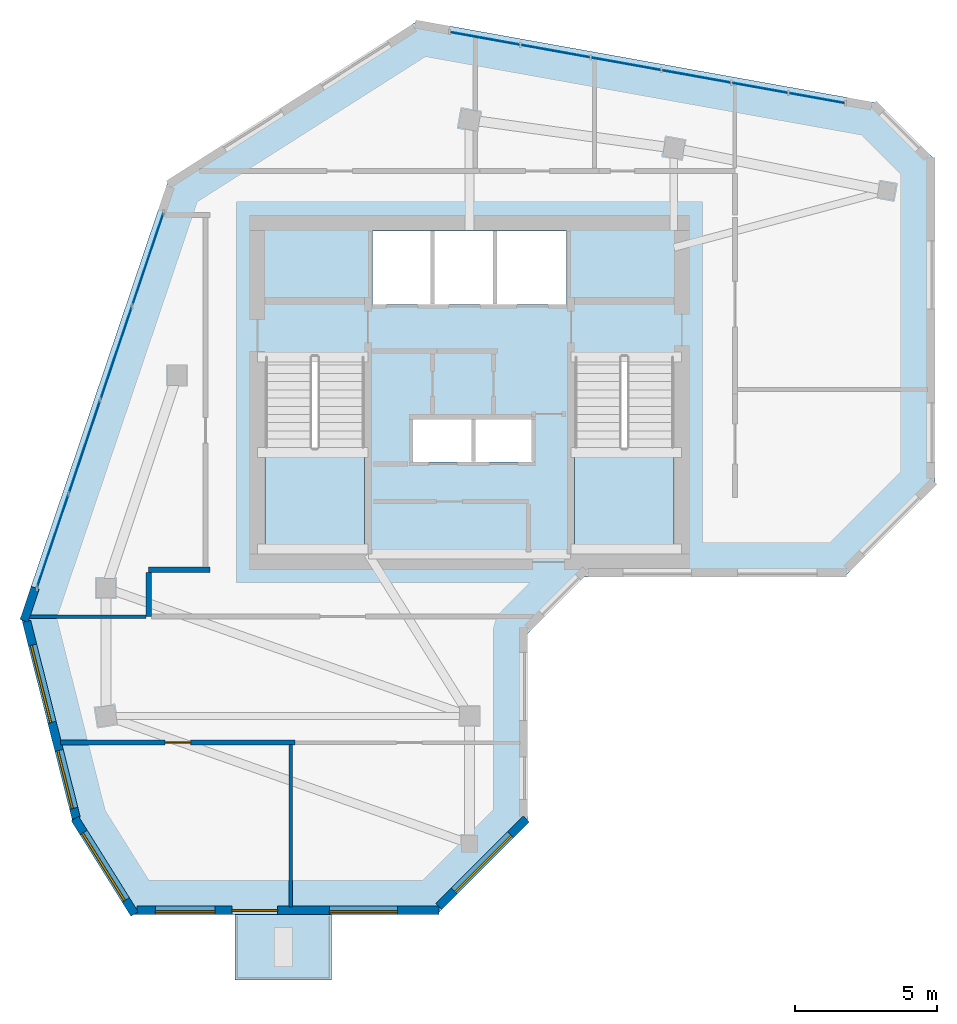
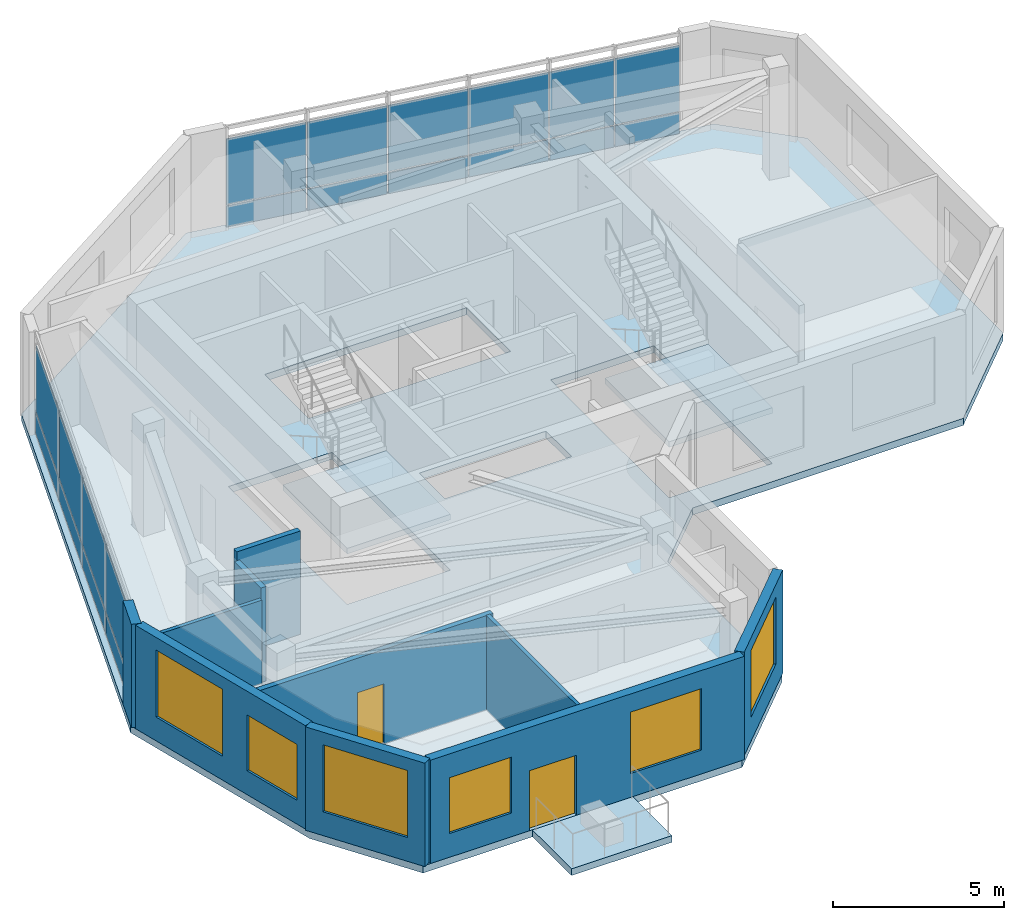
# One storey, part 2 of 8: 20 plates, 10 walls, 6 windows, 4 slabs, 2 doors, 8 openings, 4 elements without a shape of their own.
"""IFC4 building model written with IfcOpenShell, lengths in metres."""

from ifc_helpers import new_model, si_unit, direction, frame, frame_2d, origin, place, context, subcontext, project, spatial, polyline, rectangle, outline, extrude, source, transform, mapped, material, layer, layer_set, type_object, element, fill, aggregate, save


model = new_model("IFC4")

# Units and contexts
model_context = context("Model", 3, precision=1e-05, world=origin(), true_north=direction((0.0, 1.0)))
body_context = subcontext(model_context, "Body", "Model", "MODEL_VIEW")
ifc_project = project(units=[si_unit("LENGTHUNIT", "METRE"), si_unit("AREAUNIT", "SQUARE_METRE"), si_unit("VOLUMEUNIT", "CUBIC_METRE"), si_unit("PLANEANGLEUNIT", "RADIAN"), si_unit("MASSUNIT", "GRAM", prefix="KILO")], contexts=[model_context])

# Site, building, storey
site_placement = place(None, origin())
site = spatial("IfcSite", under=ifc_project, at=site_placement, CompositionType="ELEMENT")
building_placement = place(site_placement, origin())
building = spatial("IfcBuilding", under=site, at=building_placement, Name="Calvemar Wedge Station Tower", CompositionType="ELEMENT")
storey_placement = place(building_placement, frame((0.0, 0.0, 300.5)))
storey = spatial("IfcBuildingStorey", under=building, at=storey_placement, Name="L77", CompositionType="ELEMENT", Elevation=300.5)

# Curtain wall, plates
ifc_material_1 = material(Name="Anodised aluminium 6063-T6", Category="aluminium")
curtain_wall_type = type_object("IfcCurtainWallType", Name="CW4", PredefinedType="NOTDEFINED", material=ifc_material_1)
curtain_wall_1_placement = place(storey_placement, origin())
curtain_wall_1 = element("IfcCurtainWall", 1, at=curtain_wall_1_placement, inside=storey, type_object=curtain_wall_type, Name="Storey L77 CW4 Recessed Unitised Curtain Wall 10", PredefinedType="NOTDEFINED")
ifc_material_2 = material(Name="Low-E laminated insulated glass", Category="glass")
ifc_layer_1 = layer(ifc_material_2, 0.028076171875)
ifc_layer_set_1 = layer_set([ifc_layer_1], Name="Low-E laminated insulated glass")
plate_type_1 = type_object("IfcPlateType", Name="CW4-GLZ", PredefinedType="CURTAIN_PANEL", material=ifc_layer_set_1)
plate_1_placement = place(storey_placement, frame((37.01611328125, 50.08740234375, 0.8701171875), z_axis=(0.0, 0.0, 1.0), x_axis=(-0.984221146633, 0.176942743621, 0.0)))
plate_1 = element("IfcPlate", 2, at=plate_1_placement, type_object=plate_type_1, Name="CW4 vision glass panel 1", PredefinedType="CURTAIN_PANEL", context=body_context, shape_type="SweptSolid", body=[
    extrude(rectangle(XDim=2.001953125, YDim=0.028076171875, at=frame_2d((1.0009765625, 0.0))), origin(), (0.0, 0.0, 1.0), 2.35986328125),
])
plate_2_placement = place(storey_placement, frame((35.01025390625, 50.447998046875, 0.8701171875), z_axis=(0.0, 0.0, 1.0), x_axis=(-0.984224963901, 0.176921509244, 0.0)))
plate_2 = element("IfcPlate", 3, at=plate_2_placement, type_object=plate_type_1, Name="CW4 vision glass panel 2", PredefinedType="CURTAIN_PANEL", context=body_context, shape_type="SweptSolid", body=[
    extrude(rectangle(XDim=2.002197265625, YDim=0.028076171875, at=frame_2d((1.0009765625, 0.0))), origin(), (0.0, 0.0, 1.0), 2.35986328125),
])
plate_3_placement = place(storey_placement, frame((33.004150390625, 50.80859375, 0.8701171875), z_axis=(0.0, 0.0, 1.0), x_axis=(-0.984227258702, 0.176908742657, 0.0)))
plate_3 = element("IfcPlate", 4, at=plate_3_placement, type_object=plate_type_1, Name="CW4 vision glass panel 3", PredefinedType="CURTAIN_PANEL", context=body_context, shape_type="SweptSolid", body=[
    extrude(rectangle(XDim=2.478515625, YDim=0.028076171875, at=frame_2d((1.2392578125, 0.0))), origin(), (0.0, 0.0, 1.0), 2.35986328125),
])
plate_4_placement = place(storey_placement, frame((30.529296875, 51.25341796875, 0.8701171875), z_axis=(0.0, 0.0, 1.0), x_axis=(-0.984230341027, 0.176891593364, 0.0)))
plate_4 = element("IfcPlate", 5, at=plate_4_placement, type_object=plate_type_1, Name="CW4 vision glass panel 4", PredefinedType="CURTAIN_PANEL", context=body_context, shape_type="SweptSolid", body=[
    extrude(rectangle(XDim=2.478759765625, YDim=0.028076171875, at=frame_2d((1.2392578125, 0.0))), origin(), (0.0, 0.0, 1.0), 2.35986328125),
])
plate_5_placement = place(storey_placement, frame((28.05419921875, 51.6982421875, 0.8701171875), z_axis=(0.0, 0.0, 1.0), x_axis=(-0.984227429681, 0.176907791418, 0.0)))
plate_5 = element("IfcPlate", 6, at=plate_5_placement, type_object=plate_type_1, Name="CW4 vision glass panel 5", PredefinedType="CURTAIN_PANEL", context=body_context, shape_type="SweptSolid", body=[
    extrude(rectangle(XDim=2.48828125, YDim=0.028076171875, at=frame_2d((1.244140625, 0.0))), origin(), (0.0, 0.0, 1.0), 2.35986328125),
])
plate_6_placement = place(storey_placement, frame((25.56982421875, 52.14501953125, 0.8701171875), z_axis=(0.0, 0.0, 1.0), x_axis=(-0.984227429681, 0.176907791418, 0.0)))
plate_6 = element("IfcPlate", 7, at=plate_6_placement, type_object=plate_type_1, Name="CW4 vision glass panel 6", PredefinedType="CURTAIN_PANEL", context=body_context, shape_type="SweptSolid", body=[
    extrude(rectangle(XDim=2.48828125, YDim=0.028076171875, at=frame_2d((1.244140625, 0.0))), origin(), (0.0, 0.0, 1.0), 2.35986328125),
])

curtain_wall_2_placement = place(storey_placement, origin())
curtain_wall_2 = element("IfcCurtainWall", 8, at=curtain_wall_2_placement, inside=storey, type_object=curtain_wall_type, Name="Storey L77 CW4 Recessed Unitised Curtain Wall 12", PredefinedType="NOTDEFINED")
plate_7_placement = place(storey_placement, frame((13.0244140625, 46.223388671875, 0.8701171875), z_axis=(0.0, 0.0, 1.0), x_axis=(-0.319915894708, -0.947445945853, 0.0)))
plate_7 = element("IfcPlate", 9, at=plate_7_placement, type_object=plate_type_1, Name="CW4 vision glass panel 1", PredefinedType="CURTAIN_PANEL", context=body_context, shape_type="SweptSolid", body=[
    extrude(rectangle(XDim=3.453125, YDim=0.028076171875, at=frame_2d((1.7265625, 0.0))), origin(), (0.0, 0.0, 1.0), 2.35986328125),
])
plate_8_placement = place(storey_placement, frame((11.908203125, 42.91748046875, 0.8701171875), z_axis=(0.0, 0.0, 1.0), x_axis=(-0.319979356362, -0.947424514936, 0.0)))
plate_8 = element("IfcPlate", 10, at=plate_8_placement, type_object=plate_type_1, Name="CW4 vision glass panel 2", PredefinedType="CURTAIN_PANEL", context=body_context, shape_type="SweptSolid", body=[
    extrude(rectangle(XDim=3.453369140625, YDim=0.028076171875, at=frame_2d((1.7265625, 0.0))), origin(), (0.0, 0.0, 1.0), 2.35986328125),
])
plate_9_placement = place(storey_placement, frame((10.791748046875, 39.611572265625, 0.8701171875), z_axis=(0.0, 0.0, 1.0), x_axis=(-0.319915894708, -0.947445945853, 0.0)))
plate_9 = element("IfcPlate", 11, at=plate_9_placement, type_object=plate_type_1, Name="CW4 vision glass panel 3", PredefinedType="CURTAIN_PANEL", context=body_context, shape_type="SweptSolid", body=[
    extrude(rectangle(XDim=3.453125, YDim=0.028076171875, at=frame_2d((1.7265625, 0.0))), origin(), (0.0, 0.0, 1.0), 2.35986328125),
])
plate_10_placement = place(storey_placement, frame((9.675537109375, 36.3056640625, 0.8701171875), z_axis=(0.0, 0.0, 1.0), x_axis=(-0.319915894708, -0.947445945853, 0.0)))
plate_10 = element("IfcPlate", 12, at=plate_10_placement, type_object=plate_type_1, Name="CW4 vision glass panel 4", PredefinedType="CURTAIN_PANEL", context=body_context, shape_type="SweptSolid", body=[
    extrude(rectangle(XDim=3.453125, YDim=0.028076171875, at=frame_2d((1.7265625, 0.0))), origin(), (0.0, 0.0, 1.0), 2.35986328125),
])

# Plate
ifc_material_3 = material(Name="Oxidized bronze aluminium spandrel panel 5005-H24", Category="aluminium")
ifc_layer_2 = layer(ifc_material_3, 0.0400390625)
ifc_layer_set_2 = layer_set([ifc_layer_2], Name="Oxidized bronze aluminium spandrel panel 5005-H24")
plate_type_2 = type_object("IfcPlateType", Name="CW4-SPD", PredefinedType="SHEET", material=ifc_layer_set_2)
plate_11_placement = place(storey_placement, frame((37.01611328125, 50.08740234375, 0.080078125), z_axis=(0.0, 0.0, 1.0), x_axis=(-0.984221146633, 0.176942743621, 0.0)))
plate_11 = element("IfcPlate", 13, at=plate_11_placement, type_object=plate_type_2, Name="CW4 bronze spandrel panel 1", PredefinedType="SHEET", context=body_context, shape_type="SweptSolid", body=[
    extrude(rectangle(XDim=2.001953125, YDim=0.0400390625, at=frame_2d((1.0009765625, 0.0))), origin(), (0.0, 0.0, 1.0), 0.75),
])

plate_12_placement = place(storey_placement, frame((35.01025390625, 50.447998046875, 0.080078125), z_axis=(0.0, 0.0, 1.0), x_axis=(-0.984224963901, 0.176921509244, 0.0)))
plate_12 = element("IfcPlate", 14, at=plate_12_placement, type_object=plate_type_2, Name="CW4 bronze spandrel panel 2", PredefinedType="SHEET", context=body_context, shape_type="SweptSolid", body=[
    extrude(rectangle(XDim=2.002197265625, YDim=0.0400390625, at=frame_2d((1.0009765625, 0.0))), origin(), (0.0, 0.0, 1.0), 0.75),
])

plate_13_placement = place(storey_placement, frame((33.004150390625, 50.80859375, 0.080078125), z_axis=(0.0, 0.0, 1.0), x_axis=(-0.984227258702, 0.176908742657, 0.0)))
plate_13 = element("IfcPlate", 15, at=plate_13_placement, type_object=plate_type_2, Name="CW4 bronze spandrel panel 3", PredefinedType="SHEET", context=body_context, shape_type="SweptSolid", body=[
    extrude(rectangle(XDim=2.478515625, YDim=0.0400390625, at=frame_2d((1.2392578125, 0.0))), origin(), (0.0, 0.0, 1.0), 0.75),
])

plate_14_placement = place(storey_placement, frame((30.529296875, 51.25341796875, 0.080078125), z_axis=(0.0, 0.0, 1.0), x_axis=(-0.984230341027, 0.176891593364, 0.0)))
plate_14 = element("IfcPlate", 16, at=plate_14_placement, type_object=plate_type_2, Name="CW4 bronze spandrel panel 4", PredefinedType="SHEET", context=body_context, shape_type="SweptSolid", body=[
    extrude(rectangle(XDim=2.478759765625, YDim=0.0400390625, at=frame_2d((1.2392578125, 0.0))), origin(), (0.0, 0.0, 1.0), 0.75),
])

plate_15_placement = place(storey_placement, frame((28.05419921875, 51.6982421875, 0.080078125), z_axis=(0.0, 0.0, 1.0), x_axis=(-0.984227429681, 0.176907791418, 0.0)))
plate_15 = element("IfcPlate", 17, at=plate_15_placement, type_object=plate_type_2, Name="CW4 bronze spandrel panel 5", PredefinedType="SHEET", context=body_context, shape_type="SweptSolid", body=[
    extrude(rectangle(XDim=2.48828125, YDim=0.0400390625, at=frame_2d((1.244140625, 0.0))), origin(), (0.0, 0.0, 1.0), 0.75),
])

plate_16_placement = place(storey_placement, frame((25.56982421875, 52.14501953125, 0.080078125), z_axis=(0.0, 0.0, 1.0), x_axis=(-0.984227429681, 0.176907791418, 0.0)))
plate_16 = element("IfcPlate", 18, at=plate_16_placement, type_object=plate_type_2, Name="CW4 bronze spandrel panel 6", PredefinedType="SHEET", context=body_context, shape_type="SweptSolid", body=[
    extrude(rectangle(XDim=2.48828125, YDim=0.0400390625, at=frame_2d((1.244140625, 0.0))), origin(), (0.0, 0.0, 1.0), 0.75),
])

aggregate(curtain_wall_1, [plate_11, plate_1, plate_12, plate_2, plate_13, plate_3, plate_14, plate_4, plate_15, plate_5, plate_16, plate_6])

plate_17_placement = place(storey_placement, frame((13.0244140625, 46.223388671875, 0.080078125), z_axis=(0.0, 0.0, 1.0), x_axis=(-0.319915894708, -0.947445945853, 0.0)))
plate_17 = element("IfcPlate", 19, at=plate_17_placement, type_object=plate_type_2, Name="CW4 bronze spandrel panel 1", PredefinedType="SHEET", context=body_context, shape_type="SweptSolid", body=[
    extrude(rectangle(XDim=3.453125, YDim=0.0400390625, at=frame_2d((1.7265625, 0.0))), origin(), (0.0, 0.0, 1.0), 0.75),
])

plate_18_placement = place(storey_placement, frame((11.908203125, 42.91748046875, 0.080078125), z_axis=(0.0, 0.0, 1.0), x_axis=(-0.319979356362, -0.947424514936, 0.0)))
plate_18 = element("IfcPlate", 20, at=plate_18_placement, type_object=plate_type_2, Name="CW4 bronze spandrel panel 2", PredefinedType="SHEET", context=body_context, shape_type="SweptSolid", body=[
    extrude(rectangle(XDim=3.453369140625, YDim=0.0400390625, at=frame_2d((1.7265625, 0.0))), origin(), (0.0, 0.0, 1.0), 0.75),
])

plate_19_placement = place(storey_placement, frame((10.791748046875, 39.611572265625, 0.080078125), z_axis=(0.0, 0.0, 1.0), x_axis=(-0.319915894708, -0.947445945853, 0.0)))
plate_19 = element("IfcPlate", 21, at=plate_19_placement, type_object=plate_type_2, Name="CW4 bronze spandrel panel 3", PredefinedType="SHEET", context=body_context, shape_type="SweptSolid", body=[
    extrude(rectangle(XDim=3.453125, YDim=0.0400390625, at=frame_2d((1.7265625, 0.0))), origin(), (0.0, 0.0, 1.0), 0.75),
])

plate_20_placement = place(storey_placement, frame((9.675537109375, 36.3056640625, 0.080078125), z_axis=(0.0, 0.0, 1.0), x_axis=(-0.319915894708, -0.947445945853, 0.0)))
plate_20 = element("IfcPlate", 22, at=plate_20_placement, type_object=plate_type_2, Name="CW4 bronze spandrel panel 4", PredefinedType="SHEET", context=body_context, shape_type="SweptSolid", body=[
    extrude(rectangle(XDim=3.453125, YDim=0.0400390625, at=frame_2d((1.7265625, 0.0))), origin(), (0.0, 0.0, 1.0), 0.75),
])

aggregate(curtain_wall_2, [plate_17, plate_7, plate_18, plate_8, plate_19, plate_9, plate_20, plate_10])

# Stair, slab
ifc_material_4 = material(Name="Concrete C45", Category="concrete")
stair_type = type_object("IfcStairType", Name="ST-TYPE-4000", PredefinedType="HALF_TURN_STAIR", material=ifc_material_4)
stair_1_placement = place(storey_placement, origin())
stair_1 = element("IfcStair", 23, at=stair_1_placement, inside=storey, type_object=stair_type, Name="L77 Pressurized Core Exit Stair ST-C1", PredefinedType="HALF_TURN_STAIR")
ifc_layer_3 = layer(ifc_material_4, 0.199951171875)
ifc_layer_set_3 = layer_set([ifc_layer_3], Name="Concrete C45")
slab_type_1 = type_object("IfcSlabType", Name="SL-STAIR-LND-200", PredefinedType="LANDING", material=ifc_layer_set_3)
slab_1_placement = place(storey_placement, frame((0.0, 0.0, 1.800048828125)))
slab_1 = element("IfcSlab", 24, at=slab_1_placement, type_object=slab_type_1, Name="ST-C1 landing 1", PredefinedType="LANDING", context=body_context, shape_type="SweptSolid", body=[
    extrude(outline(polyline([(16.60009765625, 37.9599609375), (16.60009765625, 34.199951171875), (20.10009765625, 34.199951171875), (20.10009765625, 37.9599609375), (16.60009765625, 37.9599609375)])), origin(), (0.0, 0.0, 1.0), 0.199951171875),
])
aggregate(stair_1, [slab_1])

stair_2_placement = place(storey_placement, origin())
stair_2 = element("IfcStair", 25, at=stair_2_placement, inside=storey, type_object=stair_type, Name="L77 Pressurized Core Exit Stair ST-C2", PredefinedType="HALF_TURN_STAIR")
slab_2_placement = place(storey_placement, frame((0.0, 0.0, 1.800048828125)))
slab_2 = element("IfcSlab", 26, at=slab_2_placement, type_object=slab_type_1, Name="ST-C2 landing 1", PredefinedType="LANDING", context=body_context, shape_type="SweptSolid", body=[
    extrude(outline(polyline([(27.5, 37.9599609375), (27.5, 34.199951171875), (31.0, 34.199951171875), (31.0, 37.9599609375), (27.5, 37.9599609375)])), origin(), (0.0, 0.0, 1.0), 0.199951171875),
])
aggregate(stair_2, [slab_2])

# Slabs
ifc_layer_4 = layer(ifc_material_4, 0.239990234375)
ifc_layer_set_4 = layer_set([ifc_layer_4], Name="Concrete C45")
slab_type_2 = type_object("IfcSlabType", Name="SL-TERR-240", PredefinedType="FLOOR", material=ifc_layer_set_4)
slab_3_placement = place(storey_placement, frame((0.0, 0.0, -0.239990234375)))
element("IfcSlab", 27, at=slab_3_placement, inside=storey, type_object=slab_type_2, Name="Storey L77 Planted Spiral Terrace Slab", PredefinedType="FLOOR", context=body_context, shape_type="SweptSolid", body=[
    extrude(outline(polyline([(15.5400390625, 21.5), (15.5400390625, 19.199951171875), (18.93994140625, 19.199951171875), (18.93994140625, 21.5), (15.5400390625, 21.5)])), origin(), (0.0, 0.0, 1.0), 0.239990234375),
])
ifc_material_5 = material(Name="Concrete C50", Category="concrete")
ifc_layer_5 = layer(ifc_material_5, 0.25)
ifc_layer_set_5 = layer_set([ifc_layer_5], Name="Concrete C50")
slab_type_3 = type_object("IfcSlabType", Name="SL-TYP-250", PredefinedType="FLOOR", material=ifc_layer_set_5)
slab_4_placement = place(storey_placement, frame((0.0, 0.0, -0.25)))
element("IfcSlab", 28, at=slab_4_placement, inside=storey, type_object=slab_type_3, Name="Storey L77 Structural Floor Slab", PredefinedType="FLOOR", context=body_context, shape_type="SweptSolid", body=[
    extrude(outline(polyline([(8.0, 32.0), (9.840087890625, 24.699951171875), (11.840087890625, 21.5), (22.639892578125, 21.5), (25.840087890625, 24.699951171875), (25.840087890625, 31.39990234375), (27.840087890625, 33.39990234375), (37.0, 33.39990234375), (40.199951171875, 36.60009765625), (40.199951171875, 48.087890625), (38.199951171875, 50.087890625), (22.0, 53.0), (13.199951171875, 47.39990234375), (8.0, 32.0)]), holes=[polyline([(20.10009765625, 34.199951171875), (20.10009765625, 41.14990234375), (16.60009765625, 41.14990234375), (16.60009765625, 34.199951171875), (20.10009765625, 34.199951171875)]), polyline([(31.0, 34.199951171875), (31.0, 41.14990234375), (27.5, 41.14990234375), (27.5, 34.199951171875), (31.0, 34.199951171875)]), polyline([(23.929931640625, 38.949951171875), (21.7900390625, 38.949951171875), (21.7900390625, 37.449951171875), (23.929931640625, 37.449951171875), (23.93994140625, 37.449951171875), (26.080078125, 37.449951171875), (26.080078125, 38.949951171875), (23.93994140625, 38.949951171875), (23.929931640625, 38.949951171875)]), polyline([(27.219970703125, 43.0), (27.219970703125, 45.580078125), (20.3798828125, 45.580078125), (20.3798828125, 43.0), (27.219970703125, 43.0)])]), origin(), (0.0, 0.0, 1.0), 0.25),
])

# Walls
ifc_material_6 = material(Name="Double-stud fire-rated corridor partition")
ifc_layer_6 = layer(ifc_material_6, 0.179931640625)
ifc_layer_set_6 = layer_set([ifc_layer_6], Name="Double-stud fire-rated corridor partition")
wall_type_1 = type_object("IfcWallType", Name="W-CORR-180", PredefinedType="PARTITIONING", material=ifc_layer_set_6)
wall_1_placement = place(storey_placement, frame((12.5, 33.64990234375, 0.0), z_axis=(0.0, 0.0, 1.0), x_axis=(1.0, 0.0, 0.0)))
element("IfcWall", 29, at=wall_1_placement, inside=storey, type_object=wall_type_1, Name="Storey L77 Interior Partition WL-L77-009", PredefinedType="PARTITIONING", context=body_context, shape_type="SweptSolid", body=[
    extrude(rectangle(XDim=2.159912109375, YDim=0.179931640625, at=frame_2d((1.080078125, 0.0))), origin(), (0.0, 0.0, 1.0), 3.699951171875),
])
wall_2_placement = place(storey_placement, frame((12.5, 32.0, 0.0), z_axis=(0.0, 0.0, 1.0), x_axis=(0.0, 1.0, 0.0)))
element("IfcWall", 30, at=wall_2_placement, inside=storey, type_object=wall_type_1, Name="Storey L77 Interior Partition WL-L77-010", PredefinedType="PARTITIONING", context=body_context, shape_type="SweptSolid", body=[
    extrude(rectangle(XDim=1.555908203125, YDim=0.179931640625, at=frame_2d((0.77783203125, 0.0))), origin(), (0.0, 0.0, 1.0), 3.384033203125),
])

# Wall, opening, door
wall_3_placement = place(storey_placement, frame((17.659912109375, 27.56494140625, 0.0), z_axis=(0.0, 0.0, 1.0), x_axis=(-1.0, 0.0, 0.0)))
wall_3 = element("IfcWall", 31, at=wall_3_placement, inside=storey, type_object=wall_type_1, Name="Storey L77 Interior Partition WL-L77-025", PredefinedType="PARTITIONING", context=body_context, shape_type="SweptSolid", body=[
    extrude(rectangle(XDim=8.268798828125, YDim=0.179931640625, at=frame_2d((4.13427734375, 0.0))), origin(), (0.0, 0.0, 1.0), 3.384033203125),
])
shared_shape_1 = source(origin(), body_context, "Body", "SweptSolid", [
    extrude(rectangle(XDim=0.89990234375, YDim=2.14990234375, at=frame_2d((0.449951171875, 1.074951171875))), frame((0.0, 0.10009765625, 0.0), z_axis=(0.0, -1.0, 0.0), x_axis=(1.0, 0.0, 0.0)), (0.0, 0.0, 1.0), 0.199951171875),
])
opening_1_placement = place(wall_3_placement, frame((3.684326171875, 0.0, 0.0)))
opening_1 = element("IfcOpeningElement", 32, at=opening_1_placement, cuts=wall_3, Name="Opening FD-60", PredefinedType="OPENING", context=body_context, shape_type="MappedRepresentation", body=[
    mapped(shared_shape_1, transform((0.0, 0.0, 0.0), scale=1.0)),
])
ifc_material_7 = material(Name="Fire-rated acoustic timber-core entrance door EI 60", Category="wood")
door_type_1 = type_object("IfcDoorType", Name="DR-FD60-900", OperationType="NOTDEFINED", PredefinedType="DOOR", material=ifc_material_7)
shared_shape_2 = source(origin(), body_context, "Body", "SweptSolid", [
    extrude(rectangle(XDim=0.89990234375, YDim=2.14990234375, at=frame_2d((0.449951171875, 1.074951171875))), frame((0.0, 0.02490234375, 0.0), z_axis=(0.0, -1.0, 0.0), x_axis=(1.0, 0.0, 0.0)), (0.0, 0.0, 1.0), 0.050048828125),
])
door_1_placement = place(opening_1_placement, origin())
door_1 = element("IfcDoor", 33, at=door_1_placement, inside=storey, type_object=door_type_1, Name="L77 Restaurant Catering Kitchen Door", OperationType="SINGLE_SWING_LEFT", OverallHeight=2.14990234375, OverallWidth=0.89990234375, PredefinedType="DOOR", context=body_context, shape_type="MappedRepresentation", body=[
    mapped(shared_shape_2, transform((0.0, 0.0, 0.0), scale=1.0)),
])
fill(opening_1, door_1)

# Wall, opening, window
ifc_material_8 = material(Name="Precast concrete C45", Category="concrete")
ifc_layer_7 = layer(ifc_material_8, 0.300048828125)
ifc_layer_set_7 = layer_set([ifc_layer_7], Name="Precast concrete C45")
wall_type_2 = type_object("IfcWallType", Name="W-EXT-GFRC-300", PredefinedType="SOLIDWALL", material=ifc_layer_set_7)
wall_4_placement = place(storey_placement, frame((9.900146484375, 24.88671875, 0.0), z_axis=(0.0, 0.0, 1.0), x_axis=(0.530004471907, -0.84799484654, 0.0)))
wall_4 = element("IfcWall", 34, at=wall_4_placement, inside=storey, type_object=wall_type_2, Name="Storey L77 Bronze GFRC Exterior Wall 1", PredefinedType="SOLIDWALL", context=body_context, shape_type="SweptSolid", body=[
    extrude(rectangle(XDim=3.967041015625, YDim=0.300048828125, at=frame_2d((1.9833984375, 0.0))), origin(), (0.0, 0.0, 1.0), 3.699951171875),
])
shared_shape_3 = source(origin(), body_context, "Body", "SweptSolid", [
    extrude(rectangle(XDim=2.800048828125, YDim=2.39990234375, at=frame_2d((1.39990234375, 1.199951171875))), frame((0.0, 0.16015625, 0.0), z_axis=(0.0, -1.0, 0.0), x_axis=(1.0, 0.0, 0.0)), (0.0, 0.0, 1.0), 0.320068359375),
])
opening_2_placement = place(wall_4_placement, frame((0.5830078125, 0.0, 0.85009765625)))
opening_2 = element("IfcOpeningElement", 35, at=opening_2_placement, cuts=wall_4, Name="Opening W6", PredefinedType="OPENING", context=body_context, shape_type="MappedRepresentation", body=[
    mapped(shared_shape_3, transform((0.0, 0.0, 0.0), scale=1.0)),
])
window_type_1 = type_object("IfcWindowType", Name="WIN-EXT-6", PartitioningType="SINGLE_PANEL", PredefinedType="WINDOW", material=ifc_material_2)
shared_shape_4 = source(origin(), body_context, "Body", "SweptSolid", [
    extrude(rectangle(XDim=2.800048828125, YDim=2.39990234375, at=frame_2d((1.39990234375, 1.199951171875))), frame((0.0, -0.014892578125, 0.0), z_axis=(0.0, -1.0, 0.0), x_axis=(1.0, 0.0, 0.0)), (0.0, 0.0, 1.0), 0.06005859375),
])
window_1_placement = place(opening_2_placement, origin())
window_1 = element("IfcWindow", 36, at=window_1_placement, inside=storey, type_object=window_type_1, Name="Storey L77 Recessed Window 1.1", OverallHeight=2.39990234375, OverallWidth=2.800048828125, PartitioningType="SINGLE_PANEL", PredefinedType="WINDOW", context=body_context, shape_type="MappedRepresentation", body=[
    mapped(shared_shape_4, transform((0.0, 0.0, 0.0), scale=1.0)),
])
fill(opening_2, window_1)

# Wall, openings, windows, door
wall_5_placement = place(storey_placement, frame((12.085693359375, 21.64990234375, 0.0), z_axis=(0.0, 0.0, 1.0), x_axis=(1.0, 0.0, 0.0)))
wall_5 = element("IfcWall", 37, at=wall_5_placement, inside=storey, type_object=wall_type_2, Name="Storey L77 Bronze GFRC Exterior Wall 2", PredefinedType="SOLIDWALL", context=body_context, shape_type="SweptSolid", body=[
    extrude(rectangle(XDim=10.64208984375, YDim=0.300048828125, at=frame_2d((5.321044921875, 0.0))), origin(), (0.0, 0.0, 1.0), 3.699951171875),
])
shared_shape_5 = source(origin(), body_context, "Body", "SweptSolid", [
    extrude(rectangle(XDim=1.60009765625, YDim=2.14990234375, at=frame_2d((0.800048828125, 1.074951171875))), frame((0.0, 0.16015625, 0.0), z_axis=(0.0, -1.0, 0.0), x_axis=(1.0, 0.0, 0.0)), (0.0, 0.0, 1.0), 0.320068359375),
])
opening_3_placement = place(wall_5_placement, frame((3.35400390625, 0.0, 0.0)))
opening_3 = element("IfcOpeningElement", 38, at=opening_3_placement, cuts=wall_5, Name="Opening DT1", PredefinedType="OPENING", context=body_context, shape_type="MappedRepresentation", body=[
    mapped(shared_shape_5, transform((0.0, 0.0, 0.0), scale=1.0)),
])
shared_shape_6 = source(origin(), body_context, "Body", "SweptSolid", [
    extrude(rectangle(XDim=2.10009765625, YDim=2.0, at=frame_2d((1.050048828125, 1.0))), frame((0.0, 0.16015625, 0.0), z_axis=(0.0, -1.0, 0.0), x_axis=(1.0, 0.0, 0.0)), (0.0, 0.0, 1.0), 0.320068359375),
])
opening_4_placement = place(wall_5_placement, frame((0.64697265625, 0.0, 0.85009765625)))
opening_4 = element("IfcOpeningElement", 39, at=opening_4_placement, cuts=wall_5, Name="Opening W4", PredefinedType="OPENING", context=body_context, shape_type="MappedRepresentation", body=[
    mapped(shared_shape_6, transform((0.0, 0.0, 0.0), scale=1.0)),
])
shared_shape_7 = source(origin(), body_context, "Body", "SweptSolid", [
    extrude(rectangle(XDim=2.39990234375, YDim=2.199951171875, at=frame_2d((1.199951171875, 1.10009765625))), frame((0.0, 0.16015625, 0.0), z_axis=(0.0, -1.0, 0.0), x_axis=(1.0, 0.0, 0.0)), (0.0, 0.0, 1.0), 0.320068359375),
])
opening_5_placement = place(wall_5_placement, frame((6.778076171875, 0.0, 0.85009765625)))
opening_5 = element("IfcOpeningElement", 40, at=opening_5_placement, cuts=wall_5, Name="Opening W1", PredefinedType="OPENING", context=body_context, shape_type="MappedRepresentation", body=[
    mapped(shared_shape_7, transform((0.0, 0.0, 0.0), scale=1.0)),
])
window_type_2 = type_object("IfcWindowType", Name="WIN-EXT-4", PartitioningType="SINGLE_PANEL", PredefinedType="WINDOW", material=ifc_material_2)
shared_shape_8 = source(origin(), body_context, "Body", "SweptSolid", [
    extrude(rectangle(XDim=2.10009765625, YDim=2.0, at=frame_2d((1.050048828125, 1.0))), frame((0.0, -0.014892578125, 0.0), z_axis=(0.0, -1.0, 0.0), x_axis=(1.0, 0.0, 0.0)), (0.0, 0.0, 1.0), 0.06005859375),
])
window_2_placement = place(opening_4_placement, origin())
window_2 = element("IfcWindow", 41, at=window_2_placement, inside=storey, type_object=window_type_2, Name="Storey L77 Recessed Window 2.1", OverallHeight=2.0, OverallWidth=2.10009765625, PartitioningType="SINGLE_PANEL", PredefinedType="WINDOW", context=body_context, shape_type="MappedRepresentation", body=[
    mapped(shared_shape_8, transform((0.0, 0.0, 0.0), scale=1.0)),
])
fill(opening_4, window_2)
window_type_3 = type_object("IfcWindowType", Name="WIN-EXT-1", PartitioningType="SINGLE_PANEL", PredefinedType="WINDOW", material=ifc_material_2)
shared_shape_9 = source(origin(), body_context, "Body", "SweptSolid", [
    extrude(rectangle(XDim=2.39990234375, YDim=2.199951171875, at=frame_2d((1.199951171875, 1.10009765625))), frame((0.0, -0.014892578125, 0.0), z_axis=(0.0, -1.0, 0.0), x_axis=(1.0, 0.0, 0.0)), (0.0, 0.0, 1.0), 0.06005859375),
])
window_3_placement = place(opening_5_placement, origin())
window_3 = element("IfcWindow", 42, at=window_3_placement, inside=storey, type_object=window_type_3, Name="Storey L77 Recessed Window 2.2", OverallHeight=2.199951171875, OverallWidth=2.39990234375, PartitioningType="SINGLE_PANEL", PredefinedType="WINDOW", context=body_context, shape_type="MappedRepresentation", body=[
    mapped(shared_shape_9, transform((0.0, 0.0, 0.0), scale=1.0)),
])
fill(opening_5, window_3)
door_type_2 = type_object("IfcDoorType", Name="DR-TERR-1600", OperationType="DOUBLE_DOOR_SLIDING", PredefinedType="DOOR", material=ifc_material_1)
shared_shape_10 = source(origin(), body_context, "Body", "SweptSolid", [
    extrude(rectangle(XDim=1.60009765625, YDim=2.14990234375, at=frame_2d((0.800048828125, 1.074951171875))), frame((0.0, 0.02490234375, 0.0), z_axis=(0.0, -1.0, 0.0), x_axis=(1.0, 0.0, 0.0)), (0.0, 0.0, 1.0), 0.050048828125),
])
door_2_placement = place(opening_3_placement, origin())
door_2 = element("IfcDoor", 43, at=door_2_placement, inside=storey, type_object=door_type_2, Name="Storey L77 Spiral Terrace Door", OperationType="DOUBLE_DOOR_SLIDING", OverallHeight=2.14990234375, OverallWidth=1.60009765625, PredefinedType="DOOR", context=body_context, shape_type="MappedRepresentation", body=[
    mapped(shared_shape_10, transform((0.0, 0.0, 0.0), scale=1.0)),
])
fill(opening_3, door_2)

# Wall, opening, window
wall_6_placement = place(storey_placement, frame((22.7158203125, 21.7880859375, 0.0), z_axis=(0.0, 0.0, 1.0), x_axis=(0.707134803727, 0.707078757535, 0.0)))
wall_6 = element("IfcWall", 44, at=wall_6_placement, inside=storey, type_object=wall_type_2, Name="Storey L77 Bronze GFRC Exterior Wall 3", PredefinedType="SOLIDWALL", context=body_context, shape_type="SweptSolid", body=[
    extrude(rectangle(XDim=4.35595703125, YDim=0.300048828125, at=frame_2d((2.177978515625, 0.0))), origin(), (0.0, 0.0, 1.0), 3.699951171875),
])
opening_6_placement = place(wall_6_placement, frame((0.778076171875, 0.0, 0.85009765625)))
opening_6 = element("IfcOpeningElement", 45, at=opening_6_placement, cuts=wall_6, Name="Opening W6", PredefinedType="OPENING", context=body_context, shape_type="MappedRepresentation", body=[
    mapped(shared_shape_3, transform((0.0, 0.0, 0.0), scale=1.0)),
])
window_4_placement = place(opening_6_placement, origin())
window_4 = element("IfcWindow", 46, at=window_4_placement, inside=storey, type_object=window_type_1, Name="Storey L77 Recessed Window 3.1", OverallHeight=2.39990234375, OverallWidth=2.800048828125, PartitioningType="SINGLE_PANEL", PredefinedType="WINDOW", context=body_context, shape_type="MappedRepresentation", body=[
    mapped(shared_shape_4, transform((0.0, 0.0, 0.0), scale=1.0)),
])
fill(opening_6, window_4)

# Wall
wall_7_placement = place(storey_placement, frame((8.501708984375, 33.01708984375, 0.0), z_axis=(0.0, 0.0, 1.0), x_axis=(-0.319798692732, -0.947485512357, 0.0)))
element("IfcWall", 47, at=wall_7_placement, inside=storey, type_object=wall_type_2, Name="Storey L77 Bronze GFRC Corner Pier 12B", PredefinedType="SOLIDWALL", context=body_context, shape_type="SweptSolid", body=[
    extrude(rectangle(XDim=1.22998046875, YDim=0.300048828125, at=frame_2d((0.614990234375, 0.0))), origin(), (0.0, 0.0, 1.0), 3.699951171875),
])

# Wall, openings, windows
wall_8_placement = place(storey_placement, frame((8.1962890625, 31.834716796875, 0.0), z_axis=(0.0, 0.0, 1.0), x_axis=(0.244430846523, -0.969666726906, 0.0)))
wall_8 = element("IfcWall", 48, at=wall_8_placement, inside=storey, type_object=wall_type_2, Name="Storey L77 Bronze GFRC Exterior Wall 13", PredefinedType="SOLIDWALL", context=body_context, shape_type="SweptSolid", body=[
    extrude(rectangle(XDim=7.151611328125, YDim=0.300048828125, at=frame_2d((3.57568359375, 0.0))), origin(), (0.0, 0.0, 1.0), 3.699951171875),
])
opening_7_placement = place(wall_8_placement, frame((0.865966796875, 0.0, 0.85009765625)))
opening_7 = element("IfcOpeningElement", 49, at=opening_7_placement, cuts=wall_8, Name="Opening W6", PredefinedType="OPENING", context=body_context, shape_type="MappedRepresentation", body=[
    mapped(shared_shape_3, transform((0.0, 0.0, 0.0), scale=1.0)),
])
opening_8_placement = place(wall_8_placement, frame((4.69189453125, 0.0, 0.85009765625)))
opening_8 = element("IfcOpeningElement", 50, at=opening_8_placement, cuts=wall_8, Name="Opening W4", PredefinedType="OPENING", context=body_context, shape_type="MappedRepresentation", body=[
    mapped(shared_shape_6, transform((0.0, 0.0, 0.0), scale=1.0)),
])
window_5_placement = place(opening_8_placement, origin())
window_5 = element("IfcWindow", 51, at=window_5_placement, inside=storey, type_object=window_type_2, Name="Storey L77 Recessed Window 13.2", OverallHeight=2.0, OverallWidth=2.10009765625, PartitioningType="SINGLE_PANEL", PredefinedType="WINDOW", context=body_context, shape_type="MappedRepresentation", body=[
    mapped(shared_shape_8, transform((0.0, 0.0, 0.0), scale=1.0)),
])
fill(opening_8, window_5)
window_6_placement = place(opening_7_placement, origin())
window_6 = element("IfcWindow", 52, at=window_6_placement, inside=storey, type_object=window_type_1, Name="Storey L77 Recessed Window 13.1", OverallHeight=2.39990234375, OverallWidth=2.800048828125, PartitioningType="SINGLE_PANEL", PredefinedType="WINDOW", context=body_context, shape_type="MappedRepresentation", body=[
    mapped(shared_shape_4, transform((0.0, 0.0, 0.0), scale=1.0)),
])
fill(opening_7, window_6)

# Walls
ifc_material_9 = material(Name="Insulated acoustic gypsum stud partition")
ifc_layer_8 = layer(ifc_material_9, 0.125)
ifc_layer_set_8 = layer_set([ifc_layer_8], Name="Insulated acoustic gypsum stud partition")
wall_type_3 = type_object("IfcWallType", Name="W-PART-125", PredefinedType="PARTITIONING", material=ifc_layer_set_8)
wall_9_placement = place(storey_placement, frame((12.406005859375, 32.0, 0.0), z_axis=(0.0, 0.0, 1.0), x_axis=(-1.0, 0.0, 0.0)))
element("IfcWall", 53, at=wall_9_placement, inside=storey, type_object=wall_type_3, Name="Storey L77 Interior Partition WL-L77-020", PredefinedType="PARTITIONING", context=body_context, shape_type="SweptSolid", body=[
    extrude(rectangle(XDim=4.126220703125, YDim=0.125, at=frame_2d((2.06298828125, 0.0))), origin(), (0.0, 0.0, 1.0), 2.991943359375),
])
wall_10_placement = place(storey_placement, frame((17.5, 27.49853515625, 0.0), z_axis=(0.0, 0.0, 1.0), x_axis=(0.0, -1.0, 0.0)))
element("IfcWall", 54, at=wall_10_placement, inside=storey, type_object=wall_type_3, Name="Storey L77 Interior Partition WL-L77-027", PredefinedType="PARTITIONING", context=body_context, shape_type="SweptSolid", body=[
    extrude(rectangle(XDim=5.733642578125, YDim=0.125, at=frame_2d((2.86669921875, 0.0))), origin(), (0.0, 0.0, 1.0), 3.384033203125),
])

save(model, "model.ifc")
